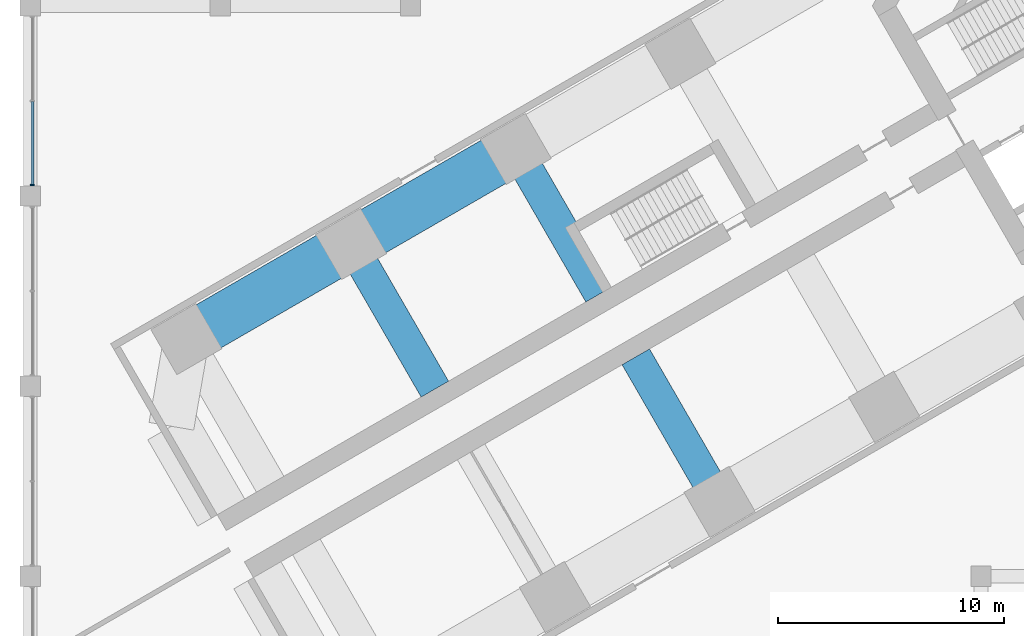
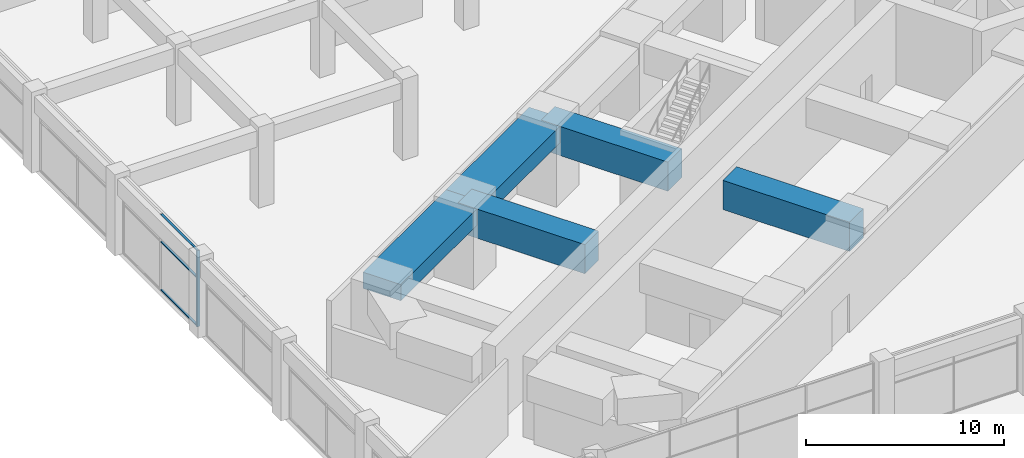
# One storey, part 4 of 36: 5 beams, 4 members, 1 element without a shape of its own.
"""IFC4 building model written with IfcOpenShell, lengths in metres."""

from ifc_helpers import new_model, si_unit, direction, frame, origin, origin_2d, place, context, subcontext, project, spatial, rectangle, extrude, material, material_profile, profile_set, type_object, element, aggregate, save


model = new_model("IFC4")

# Units and contexts
model_context = context("Model", 3, precision=1e-05, world=origin(), true_north=direction((0.0, 1.0)))
body_context = subcontext(model_context, "Body", "Model", "MODEL_VIEW")
ifc_project = project(units=[si_unit("LENGTHUNIT", "METRE"), si_unit("AREAUNIT", "SQUARE_METRE"), si_unit("VOLUMEUNIT", "CUBIC_METRE"), si_unit("PLANEANGLEUNIT", "RADIAN"), si_unit("MASSUNIT", "GRAM", prefix="KILO")], contexts=[model_context])

# Site, building, storey
site_placement = place(None, origin())
site = spatial("IfcSite", under=ifc_project, at=site_placement, CompositionType="ELEMENT")
building_placement = place(site_placement, origin())
building = spatial("IfcBuilding", under=site, at=building_placement, Name="Impinga Residences", CompositionType="ELEMENT")
storey_placement = place(building_placement, frame((0.0, 0.0, 6.0)))
storey = spatial("IfcBuildingStorey", under=building, at=storey_placement, Name="L01", CompositionType="ELEMENT", Elevation=6.0)

# Beams
ifc_material_1 = material(Name="Concrete C60/75", Category="concrete")
ifc_material_profile_1 = material_profile(ifc_material_1, rectangle(XDim=1.39990234375, YDim=1.800048828125, at=origin_2d()), Name="RC 1400x1800")
ifc_profile_set_1 = profile_set([ifc_material_profile_1], Name="Concrete C60/75")
beam_type_1 = type_object("IfcBeamType", Name="CG4 1400x1800 cross girder on a wing bay line under the podium floors", PredefinedType="BEAM", material=ifc_profile_set_1)
beam_placement = place(storey_placement, frame((-23.649169921875, -15.50146484375, 3.800048828125), z_axis=(0.500003285667, -0.866023506795, 0.0), x_axis=(0.866023506795, 0.500003285667, 0.0)))
element("IfcBeam", 1, at=beam_placement, inside=storey, type_object=beam_type_1, Name="Beam CG4 W3 WC/WA level L02", PredefinedType="BEAM", context=body_context, shape_type="SweptSolid", body=[
    extrude(rectangle(XDim=1.39990234375, YDim=1.800048828125, at=origin_2d()), origin(), (0.0, 0.0, 1.0), 7.39990234375),
])
for number, where, z_axis, x_axis, name in (
    (2, (-25.249267578125, -12.730224609375, 3.800048828125), (-0.499988999718, 0.866031754707, 0.0), (-0.866031754707, -0.499988999718, 0.0), "Beam CG4 W3 WC/WF level L02"),
    (3, (-32.52392578125, -16.93017578125, 3.800048828125), (-0.499988999718, 0.866031754707, 0.0), (-0.866031754707, -0.499988999718, 0.0), "Beam CG4 W4 WC/WF level L02"),
):
    element("IfcBeam", number, at=place(storey_placement, frame(where, z_axis=z_axis, x_axis=x_axis)), inside=storey, type_object=beam_type_1, Name=name, PredefinedType="BEAM", context=body_context, shape_type="SweptSolid", body=[
        extrude(rectangle(XDim=1.39990234375, YDim=1.800048828125, at=origin_2d()), origin(), (0.0, 0.0, 1.0), 7.400146484375),
    ])

# Curtain wall, members
ifc_material_2 = material(Name="Aluminium stick curtain wall", Category="aluminium")
curtain_wall_type = type_object("IfcCurtainWallType", Name="CW1 podium amenity curtain wall", PredefinedType="USERDEFINED", material=ifc_material_2)
curtain_wall_placement = place(storey_placement, origin())
curtain_wall = element("IfcCurtainWall", 4, at=curtain_wall_placement, inside=storey, type_object=curtain_wall_type, Name="Curtain wall CW1 L01", ObjectType="STICK CURTAIN WALL", PredefinedType="USERDEFINED")
ifc_material_3 = material(Name="Aluminium mullion", Category="aluminium")
ifc_material_profile_2 = material_profile(ifc_material_3, rectangle(XDim=0.06005859375, YDim=0.179931640625, at=origin_2d()), Name="60x180 mullion")
ifc_profile_set_2 = profile_set([ifc_material_profile_2], Name="Aluminium mullion")
member_type_1 = type_object("IfcMemberType", Name="CW1-M mullion 60x180", PredefinedType="MULLION", material=ifc_profile_set_2)
member_1_placement = place(storey_placement, frame((-50.300048828125, -7.9169921875, 0.0), z_axis=(0.0, 0.0, 1.0), x_axis=(0.0, 1.0, 0.0)))
member_1 = element("IfcMember", 5, at=member_1_placement, type_object=member_type_1, Name="CW1 mullion 1", PredefinedType="MULLION", context=body_context, shape_type="SweptSolid", body=[
    extrude(rectangle(XDim=0.06005859375, YDim=0.179931640625, at=origin_2d()), origin(), (0.0, 0.0, 1.0), 4.699951171875),
])
ifc_material_4 = material(Name="Aluminium transom", Category="aluminium")
ifc_material_profile_3 = material_profile(ifc_material_4, rectangle(XDim=0.06005859375, YDim=0.1201171875, at=origin_2d()), Name="60x120 transom")
ifc_profile_set_3 = profile_set([ifc_material_profile_3], Name="Aluminium transom")
member_type_2 = type_object("IfcMemberType", Name="CW1-T transom 60x120", PredefinedType="USERDEFINED", material=ifc_profile_set_3)
member_2_placement = place(storey_placement, frame((-50.300048828125, -7.886962890625, 0.030029296875), z_axis=(0.0, 1.0, 0.0), x_axis=(0.0, 0.0, 1.0)))
member_2 = element("IfcMember", 6, at=member_2_placement, type_object=member_type_2, Name="CW1 transom 1.1", ObjectType="TRANSOM", PredefinedType="USERDEFINED", context=body_context, shape_type="SweptSolid", body=[
    extrude(rectangle(XDim=0.06005859375, YDim=0.1201171875, at=origin_2d()), origin(), (0.0, 0.0, 1.0), 3.656982421875),
])
member_3_placement = place(storey_placement, frame((-50.300048828125, -7.886962890625, 3.0), z_axis=(0.0, 1.0, 0.0), x_axis=(0.0, 0.0, 1.0)))
member_3 = element("IfcMember", 7, at=member_3_placement, type_object=member_type_2, Name="CW1 transom 1.2", ObjectType="TRANSOM", PredefinedType="USERDEFINED", context=body_context, shape_type="SweptSolid", body=[
    extrude(rectangle(XDim=0.06005859375, YDim=0.1201171875, at=origin_2d()), origin(), (0.0, 0.0, 1.0), 3.656982421875),
])
member_4_placement = place(storey_placement, frame((-50.300048828125, -7.886962890625, 4.669921875), z_axis=(0.0, 1.0, 0.0), x_axis=(0.0, 0.0, 1.0)))
member_4 = element("IfcMember", 8, at=member_4_placement, type_object=member_type_2, Name="CW1 transom 1.3", ObjectType="TRANSOM", PredefinedType="USERDEFINED", context=body_context, shape_type="SweptSolid", body=[
    extrude(rectangle(XDim=0.06005859375, YDim=0.1201171875, at=origin_2d()), origin(), (0.0, 0.0, 1.0), 3.656982421875),
])
aggregate(curtain_wall, [member_1, member_2, member_3, member_4])

# Beams
ifc_material_profile_4 = material_profile(ifc_material_1, rectangle(XDim=2.199951171875, YDim=1.0, at=origin_2d()), Name="RC 2200x1000")
ifc_profile_set_4 = profile_set([ifc_material_profile_4], Name="Concrete C60/75")
beam_type_2 = type_object("IfcBeamType", Name="PB3 2200x1000 podium band beam", PredefinedType="BEAM", material=ifc_profile_set_4)
for number, where, z_axis, x_axis, name in (
    (9, (-28.94921875, -6.321533203125, 4.199951171875), (-0.86602925447, -0.499993330357, 0.0), (0.499993330357, -0.86602925447, 0.0), "Beam PB3 WF W3-W4 level L02"),
    (10, (-36.223876953125, -10.521484375, 4.199951171875), (-0.86602925447, -0.499993330357, 0.0), (0.499993330357, -0.86602925447, 0.0), "Beam PB3 WF W4-W5 level L02"),
):
    element("IfcBeam", number, at=place(storey_placement, frame(where, z_axis=z_axis, x_axis=x_axis)), inside=storey, type_object=beam_type_2, Name=name, PredefinedType="BEAM", context=body_context, shape_type="SweptSolid", body=[
        extrude(rectangle(XDim=2.199951171875, YDim=1.0, at=origin_2d()), origin(), (0.0, 0.0, 1.0), 8.39990234375),
    ])

save(model, "model.ifc")
